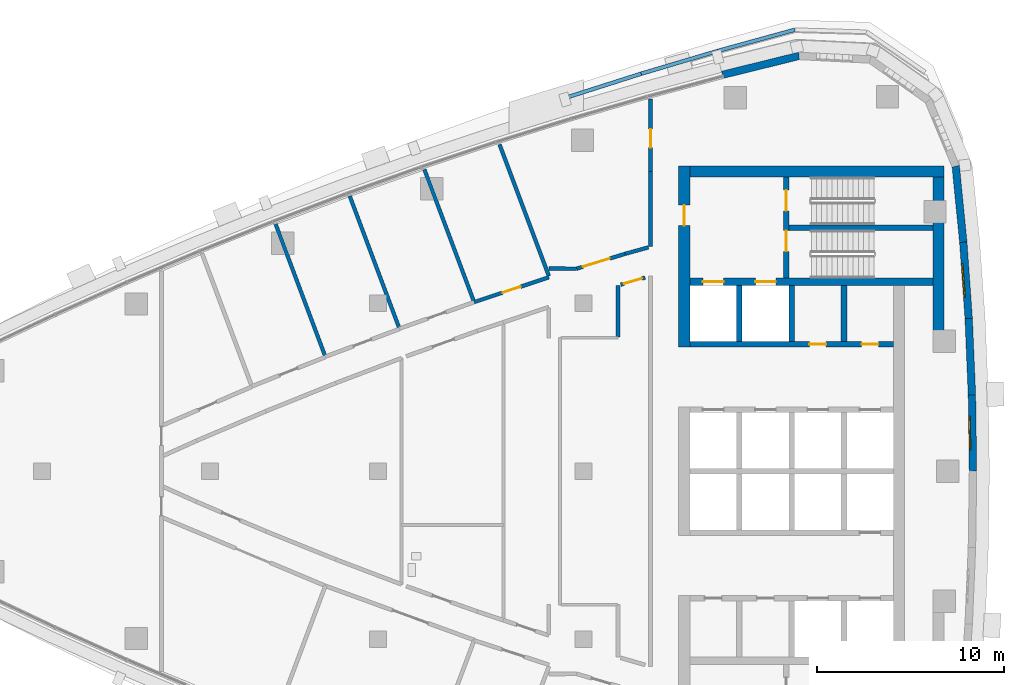
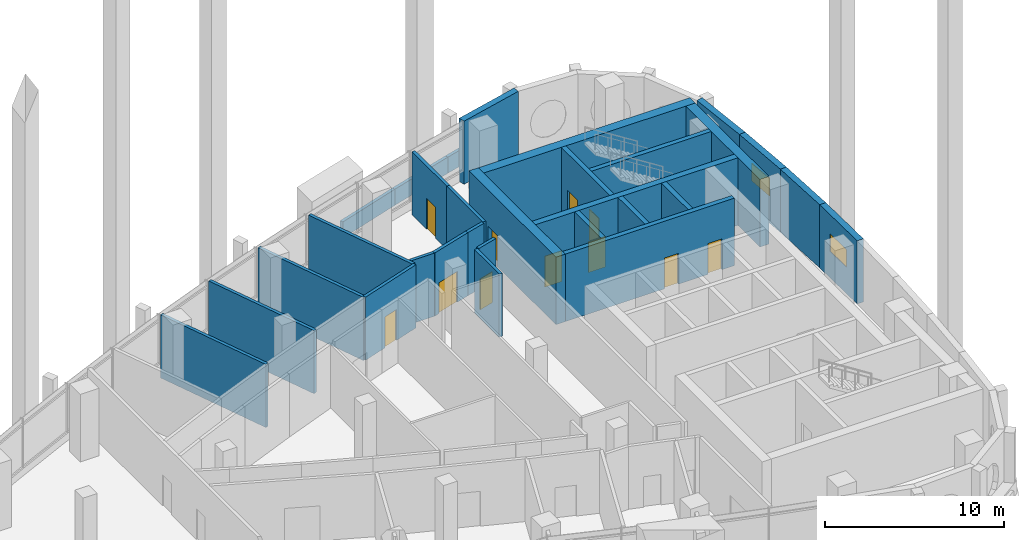
# One storey, part 9 of 15: 30 walls, 11 doors, 2 windows, 13 openings.
"""IFC4 building model written with IfcOpenShell, lengths in metres."""

from ifc_helpers import new_model, si_unit, direction, frame, frame_2d, origin, place, context, subcontext, project, spatial, polyline, rectangle, outline, extrude, material, layer, layer_set, type_object, element, fill, save


model = new_model("IFC4")

# Units and contexts
model_context = context("Model", 3, precision=1e-05, world=origin(), true_north=direction((0.0, 1.0)))
body_context = subcontext(model_context, "Body", "Model", "MODEL_VIEW")
ifc_project = project(units=[si_unit("LENGTHUNIT", "METRE"), si_unit("AREAUNIT", "SQUARE_METRE"), si_unit("VOLUMEUNIT", "CUBIC_METRE"), si_unit("PLANEANGLEUNIT", "RADIAN"), si_unit("MASSUNIT", "GRAM", prefix="KILO")], contexts=[model_context])

# Site, building, storey
site_placement = place(None, origin())
site = spatial("IfcSite", under=ifc_project, at=site_placement, CompositionType="ELEMENT")
building_placement = place(site_placement, origin())
building = spatial("IfcBuilding", under=site, at=building_placement, Name="Ostrand Prow Hotel Tower", CompositionType="ELEMENT")
storey_placement = place(building_placement, frame((0.0, 0.0, 216.199951171875)))
storey = spatial("IfcBuildingStorey", under=building, at=storey_placement, Name="L54", CompositionType="ELEMENT", Elevation=216.199951171875)

# Wall, openings, doors
ifc_material_1 = material(Name="Concrete C50/60", Category="concrete")
ifc_layer_1 = layer(ifc_material_1, 0.300048828125)
ifc_layer_set_1 = layer_set([ifc_layer_1], Name="Concrete C50/60")
wall_type_1 = type_object("IfcWallType", Name="Core wall 300 C50/60", PredefinedType="SHEAR", material=ifc_layer_set_1)
wall_1_placement = place(storey_placement, frame((50.699951171875, 6.800048828125, 0.0), z_axis=(0.0, 0.0, 1.0), x_axis=(1.0, 0.0, 0.0)))
wall_1 = element("IfcWall", 1, at=wall_1_placement, inside=storey, type_object=wall_type_1, Name="Core wall PW-L2-N", PredefinedType="SHEAR", context=body_context, shape_type="SweptSolid", body=[
    extrude(rectangle(XDim=10.900146484375, YDim=0.300048828125, at=frame_2d((5.4501953125, 0.0))), origin(), (0.0, 0.0, 1.0), 4.60009765625),
])
opening_1_placement = place(wall_1_placement, frame((6.39990234375, 0.0, 0.0)))
opening_1 = element("IfcOpeningElement", 2, at=opening_1_placement, cuts=wall_1, Name="Opening FD2", PredefinedType="OPENING", context=body_context, shape_type="SweptSolid", body=[
    extrude(rectangle(XDim=0.89990234375, YDim=2.10009765625, at=frame_2d((0.449951171875, 1.050048828125))), frame((0.0, 0.159912109375, 0.0), z_axis=(0.0, -1.0, 0.0), x_axis=(1.0, 0.0, 0.0)), (0.0, 0.0, 1.0), 0.320068359375),
])
opening_2_placement = place(wall_1_placement, frame((9.199951171875, 0.0, 0.0)))
opening_2 = element("IfcOpeningElement", 3, at=opening_2_placement, cuts=wall_1, Name="Opening FD2", PredefinedType="OPENING", context=body_context, shape_type="SweptSolid", body=[
    extrude(rectangle(XDim=0.89990234375, YDim=2.10009765625, at=frame_2d((0.449951171875, 1.050048828125))), frame((0.0, 0.159912109375, 0.0), z_axis=(0.0, -1.0, 0.0), x_axis=(1.0, 0.0, 0.0)), (0.0, 0.0, 1.0), 0.320068359375),
])
ifc_material_2 = material(Name="Steel fire door", Category="steel")
door_type_1 = type_object("IfcDoorType", Name="Fire door 900 EI120", OperationType="SINGLE_SWING_LEFT", PredefinedType="DOOR", material=ifc_material_2)
door_1_placement = place(opening_1_placement, origin())
door_1 = element("IfcDoor", 4, at=door_1_placement, inside=storey, type_object=door_type_1, Name="DOOR", OperationType="SINGLE_SWING_LEFT", OverallHeight=2.10009765625, OverallWidth=0.89990234375, PredefinedType="DOOR", context=body_context, shape_type="SweptSolid", body=[
    extrude(rectangle(XDim=0.89990234375, YDim=2.10009765625, at=frame_2d((0.449951171875, 1.050048828125))), frame((0.0, 0.02490234375, 0.0), z_axis=(0.0, -1.0, 0.0), x_axis=(1.0, 0.0, 0.0)), (0.0, 0.0, 1.0), 0.050048828125),
])
fill(opening_1, door_1)
door_2_placement = place(opening_2_placement, origin())
door_2 = element("IfcDoor", 5, at=door_2_placement, inside=storey, type_object=door_type_1, Name="DOOR", OperationType="SINGLE_SWING_LEFT", OverallHeight=2.10009765625, OverallWidth=0.89990234375, PredefinedType="DOOR", context=body_context, shape_type="SweptSolid", body=[
    extrude(rectangle(XDim=0.89990234375, YDim=2.10009765625, at=frame_2d((0.449951171875, 1.050048828125))), frame((0.0, 0.02490234375, 0.0), z_axis=(0.0, -1.0, 0.0), x_axis=(1.0, 0.0, 0.0)), (0.0, 0.0, 1.0), 0.050048828125),
])
fill(opening_2, door_2)

# Walls
for number, where, z_axis, x_axis, name in (
    (6, (53.35009765625, 6.949951171875, 0.0), (0.0, 0.0, 1.0), (0.0, 1.0, 0.0), "Core wall PW-R1-NA"),
    (7, (56.14990234375, 6.949951171875, 0.0), (0.0, 0.0, 1.0), (0.0, 1.0, 0.0), "Core wall PW-R2-NA"),
    (8, (58.949951171875, 6.949951171875, 0.0), (0.0, 0.0, 1.0), (0.0, 1.0, 0.0), "Core wall PW-R3-NA"),
):
    element("IfcWall", number, at=place(storey_placement, frame(where, z_axis=z_axis, x_axis=x_axis)), inside=storey, type_object=wall_type_1, Name=name, PredefinedType="SHEAR", context=body_context, shape_type="SweptSolid", body=[
        extrude(rectangle(XDim=3.0, YDim=0.300048828125, at=frame_2d((1.5, 0.0))), origin(), (0.0, 0.0, 1.0), 4.60009765625),
    ])

# Wall, openings, doors
wall_2_placement = place(storey_placement, frame((55.85009765625, 10.35009765625, 0.0), z_axis=(0.0, 0.0, 1.0), x_axis=(0.0, 1.0, 0.0)))
wall_2 = element("IfcWall", 9, at=wall_2_placement, inside=storey, type_object=wall_type_1, Name="Core wall PW-VN", PredefinedType="SHEAR", context=body_context, shape_type="SweptSolid", body=[
    extrude(rectangle(XDim=5.39990234375, YDim=0.300048828125, at=frame_2d((2.699951171875, 0.0))), origin(), (0.0, 0.0, 1.0), 4.60009765625),
])
opening_3_placement = place(wall_2_placement, frame((1.429931640625, 0.0, 0.0)))
opening_3 = element("IfcOpeningElement", 10, at=opening_3_placement, cuts=wall_2, Name="Opening FD1", PredefinedType="OPENING", context=body_context, shape_type="SweptSolid", body=[
    extrude(rectangle(XDim=1.10009765625, YDim=2.10009765625, at=frame_2d((0.550048828125, 1.050048828125))), frame((0.0, 0.159912109375, 0.0), z_axis=(0.0, -1.0, 0.0), x_axis=(1.0, 0.0, 0.0)), (0.0, 0.0, 1.0), 0.320068359375),
])
opening_4_placement = place(wall_2_placement, frame((3.60009765625, 0.0, 0.0)))
opening_4 = element("IfcOpeningElement", 11, at=opening_4_placement, cuts=wall_2, Name="Opening FD1", PredefinedType="OPENING", context=body_context, shape_type="SweptSolid", body=[
    extrude(rectangle(XDim=1.10009765625, YDim=2.10009765625, at=frame_2d((0.550048828125, 1.050048828125))), frame((0.0, 0.159912109375, 0.0), z_axis=(0.0, -1.0, 0.0), x_axis=(1.0, 0.0, 0.0)), (0.0, 0.0, 1.0), 0.320068359375),
])
ifc_material_3 = material(Name="Steel fire door", Category="steel")
door_type_2 = type_object("IfcDoorType", Name="Fire door 1100 EI120", OperationType="SINGLE_SWING_RIGHT", PredefinedType="DOOR", material=ifc_material_3)
door_3_placement = place(opening_3_placement, origin())
door_3 = element("IfcDoor", 12, at=door_3_placement, inside=storey, type_object=door_type_2, Name="FIRE DOOR", OperationType="SINGLE_SWING_RIGHT", OverallHeight=2.10009765625, OverallWidth=1.10009765625, PredefinedType="DOOR", context=body_context, shape_type="SweptSolid", body=[
    extrude(rectangle(XDim=1.10009765625, YDim=2.10009765625, at=frame_2d((0.550048828125, 1.050048828125))), frame((0.0, 0.02490234375, 0.0), z_axis=(0.0, -1.0, 0.0), x_axis=(1.0, 0.0, 0.0)), (0.0, 0.0, 1.0), 0.050048828125),
])
fill(opening_3, door_3)
door_4_placement = place(opening_4_placement, origin())
door_4 = element("IfcDoor", 13, at=door_4_placement, inside=storey, type_object=door_type_2, Name="FIRE DOOR", OperationType="SINGLE_SWING_RIGHT", OverallHeight=2.10009765625, OverallWidth=1.10009765625, PredefinedType="DOOR", context=body_context, shape_type="SweptSolid", body=[
    extrude(rectangle(XDim=1.10009765625, YDim=2.10009765625, at=frame_2d((0.550048828125, 1.050048828125))), frame((0.0, 0.02490234375, 0.0), z_axis=(0.0, -1.0, 0.0), x_axis=(1.0, 0.0, 0.0)), (0.0, 0.0, 1.0), 0.050048828125),
])
fill(opening_4, door_4)

# Wall
wall_3_placement = place(storey_placement, frame((56.0, 13.050048828125, 0.0), z_axis=(0.0, 0.0, 1.0), x_axis=(1.0, 0.0, 0.0)))
element("IfcWall", 14, at=wall_3_placement, inside=storey, type_object=wall_type_1, Name="Core wall PW-ST13", PredefinedType="SHEAR", context=body_context, shape_type="SweptSolid", body=[
    extrude(rectangle(XDim=7.719970703125, YDim=0.300048828125, at=frame_2d((3.85986328125, 0.0))), origin(), (0.0, 0.0, 1.0), 4.60009765625),
])

# Wall, openings, doors
ifc_material_4 = material(Name="Concrete C50/60", Category="concrete")
ifc_layer_2 = layer(ifc_material_4, 0.39990234375)
ifc_layer_set_2 = layer_set([ifc_layer_2], Name="Concrete C50/60")
wall_type_2 = type_object("IfcWallType", Name="Core wall 400 C50/60", PredefinedType="SHEAR", material=ifc_layer_set_2)
wall_4_placement = place(storey_placement, frame((50.699951171875, 10.14990234375, 0.0), z_axis=(0.0, 0.0, 1.0), x_axis=(1.0, 0.0, 0.0)))
wall_4 = element("IfcWall", 15, at=wall_4_placement, inside=storey, type_object=wall_type_2, Name="Core wall PW-BN", PredefinedType="SHEAR", context=body_context, shape_type="SweptSolid", body=[
    extrude(rectangle(XDim=13.02001953125, YDim=0.39990234375, at=frame_2d((6.510009765625, 0.0))), origin(), (0.0, 0.0, 1.0), 4.60009765625),
])
opening_5_placement = place(wall_4_placement, frame((0.699951171875, 0.0, 0.0)))
opening_5 = element("IfcOpeningElement", 16, at=opening_5_placement, cuts=wall_4, Name="Opening LD", PredefinedType="OPENING", context=body_context, shape_type="SweptSolid", body=[
    extrude(rectangle(XDim=1.10009765625, YDim=2.10009765625, at=frame_2d((0.550048828125, 1.050048828125))), frame((0.0, 0.2099609375, 0.0), z_axis=(0.0, -1.0, 0.0), x_axis=(1.0, 0.0, 0.0)), (0.0, 0.0, 1.0), 0.419921875),
])
opening_6_placement = place(wall_4_placement, frame((3.5, 0.0, 0.0)))
opening_6 = element("IfcOpeningElement", 17, at=opening_6_placement, cuts=wall_4, Name="Opening LD", PredefinedType="OPENING", context=body_context, shape_type="SweptSolid", body=[
    extrude(rectangle(XDim=1.10009765625, YDim=2.10009765625, at=frame_2d((0.550048828125, 1.050048828125))), frame((0.0, 0.2099609375, 0.0), z_axis=(0.0, -1.0, 0.0), x_axis=(1.0, 0.0, 0.0)), (0.0, 0.0, 1.0), 0.419921875),
])
ifc_material_5 = material(Name="Stainless steel door", Category="steel")
door_type_3 = type_object("IfcDoorType", Name="Lift landing door 1100", OperationType="DOUBLE_DOOR_SLIDING", PredefinedType="DOOR", material=ifc_material_5)
door_5_placement = place(opening_5_placement, origin())
door_5 = element("IfcDoor", 18, at=door_5_placement, inside=storey, type_object=door_type_3, Name="LIFT LANDING DOOR", OperationType="DOUBLE_DOOR_SLIDING", OverallHeight=2.10009765625, OverallWidth=1.10009765625, PredefinedType="DOOR", context=body_context, shape_type="SweptSolid", body=[
    extrude(rectangle(XDim=1.10009765625, YDim=2.10009765625, at=frame_2d((0.550048828125, 1.050048828125))), frame((0.0, 0.02490234375, 0.0), z_axis=(0.0, -1.0, 0.0), x_axis=(1.0, 0.0, 0.0)), (0.0, 0.0, 1.0), 0.050048828125),
])
fill(opening_5, door_5)
door_6_placement = place(opening_6_placement, origin())
door_6 = element("IfcDoor", 19, at=door_6_placement, inside=storey, type_object=door_type_3, Name="LIFT LANDING DOOR", OperationType="DOUBLE_DOOR_SLIDING", OverallHeight=2.10009765625, OverallWidth=1.10009765625, PredefinedType="DOOR", context=body_context, shape_type="SweptSolid", body=[
    extrude(rectangle(XDim=1.10009765625, YDim=2.10009765625, at=frame_2d((0.550048828125, 1.050048828125))), frame((0.0, 0.02490234375, 0.0), z_axis=(0.0, -1.0, 0.0), x_axis=(1.0, 0.0, 0.0)), (0.0, 0.0, 1.0), 0.050048828125),
])
fill(opening_6, door_6)

# Wall, opening, door
ifc_material_6 = material(Name="Concrete C50/60", Category="concrete")
ifc_layer_3 = layer(ifc_material_6, 0.60009765625)
ifc_layer_set_3 = layer_set([ifc_layer_3], Name="Concrete C50/60")
wall_type_3 = type_object("IfcWallType", Name="Core wall 600 C50/60", PredefinedType="SHEAR", material=ifc_layer_set_3)
wall_5_placement = place(storey_placement, frame((50.39990234375, 6.64990234375, 0.0), z_axis=(0.0, 0.0, 1.0), x_axis=(0.0, 1.0, 0.0)))
wall_5 = element("IfcWall", 20, at=wall_5_placement, inside=storey, type_object=wall_type_3, Name="Core wall CW-W-N", PredefinedType="SHEAR", context=body_context, shape_type="SweptSolid", body=[
    extrude(rectangle(XDim=9.7001953125, YDim=0.60009765625, at=frame_2d((4.85009765625, 0.0))), origin(), (0.0, 0.0, 1.0), 4.60009765625),
])
opening_7_placement = place(wall_5_placement, frame((6.5, 0.0, 0.0)))
opening_7 = element("IfcOpeningElement", 21, at=opening_7_placement, cuts=wall_5, Name="Opening FD1", PredefinedType="OPENING", context=body_context, shape_type="SweptSolid", body=[
    extrude(rectangle(XDim=1.10009765625, YDim=2.10009765625, at=frame_2d((0.550048828125, 1.050048828125))), frame((0.0, 0.31005859375, 0.0), z_axis=(0.0, -1.0, 0.0), x_axis=(1.0, 0.0, 0.0)), (0.0, 0.0, 1.0), 0.6201171875),
])
door_7_placement = place(opening_7_placement, origin())
door_7 = element("IfcDoor", 22, at=door_7_placement, inside=storey, type_object=door_type_2, Name="FIRE DOOR", OperationType="SINGLE_SWING_RIGHT", OverallHeight=2.10009765625, OverallWidth=1.10009765625, PredefinedType="DOOR", context=body_context, shape_type="SweptSolid", body=[
    extrude(rectangle(XDim=1.10009765625, YDim=2.10009765625, at=frame_2d((0.550048828125, 1.050048828125))), frame((0.0, 0.02490234375, 0.0), z_axis=(0.0, -1.0, 0.0), x_axis=(1.0, 0.0, 0.0)), (0.0, 0.0, 1.0), 0.050048828125),
])
fill(opening_7, door_7)

# Walls
wall_6_placement = place(storey_placement, frame((50.699951171875, 16.050048828125, 0.0), z_axis=(0.0, 0.0, 1.0), x_axis=(1.0, 0.0, 0.0)))
element("IfcWall", 23, at=wall_6_placement, inside=storey, type_object=wall_type_3, Name="Core wall CW-N", PredefinedType="SHEAR", context=body_context, shape_type="SweptSolid", body=[
    extrude(rectangle(XDim=13.6201171875, YDim=0.60009765625, at=frame_2d((6.81005859375, 0.0))), origin(), (0.0, 0.0, 1.0), 4.60009765625),
])
wall_7_placement = place(storey_placement, frame((64.02001953125, 7.502197265625, 0.0), z_axis=(0.0, 0.0, 1.0), x_axis=(0.0, 1.0, 0.0)))
element("IfcWall", 24, at=wall_7_placement, inside=storey, type_object=wall_type_3, Name="Core wall CW-E-N", PredefinedType="SHEAR", context=body_context, shape_type="SweptSolid", body=[
    extrude(rectangle(XDim=8.247802734375, YDim=0.60009765625, at=frame_2d((4.1240234375, 0.0))), origin(), (0.0, 0.0, 1.0), 4.60009765625),
])

# Wall, opening, door
ifc_material_7 = material(Name="Plasterboard partition")
ifc_layer_4 = layer(ifc_material_7, 0.199951171875)
ifc_layer_set_4 = layer_set([ifc_layer_4], Name="Plasterboard partition")
wall_type_4 = type_object("IfcWallType", Name="Partition 200 corridor wall", PredefinedType="PARTITIONING", material=ifc_layer_set_4)
wall_8_placement = place(storey_placement, frame((43.14990234375, 10.385986328125, 0.0), z_axis=(0.0, 0.0, 1.0), x_axis=(-0.949231523576, -0.314578312427, 0.0)))
wall_8 = element("IfcWall", 25, at=wall_8_placement, inside=storey, type_object=wall_type_4, Name="CORRIDOR WALL", PredefinedType="PARTITIONING", context=body_context, shape_type="SweptSolid", body=[
    extrude(rectangle(XDim=4.219482421875, YDim=0.199951171875, at=frame_2d((2.10986328125, 0.0))), origin(), (0.0, 0.0, 1.0), 4.300048828125),
])
opening_8_placement = place(wall_8_placement, frame((1.60986328125, 0.0, 0.0)))
opening_8 = element("IfcOpeningElement", 26, at=opening_8_placement, cuts=wall_8, Name="Opening D1", PredefinedType="OPENING", context=body_context, shape_type="SweptSolid", body=[
    extrude(rectangle(XDim=1.0, YDim=2.10009765625, at=frame_2d((0.5, 1.050048828125))), frame((0.0, 0.10986328125, 0.0), z_axis=(0.0, -1.0, 0.0), x_axis=(1.0, 0.0, 0.0)), (0.0, 0.0, 1.0), 0.219970703125),
])
ifc_material_8 = material(Name="Timber door leaf", Category="wood")
door_type_4 = type_object("IfcDoorType", Name="Guest room door 1000", OperationType="SINGLE_SWING_LEFT", PredefinedType="DOOR", material=ifc_material_8)
door_8_placement = place(opening_8_placement, origin())
door_8 = element("IfcDoor", 27, at=door_8_placement, inside=storey, type_object=door_type_4, Name="DOOR", OperationType="SINGLE_SWING_LEFT", OverallHeight=2.10009765625, OverallWidth=1.0, PredefinedType="DOOR", context=body_context, shape_type="SweptSolid", body=[
    extrude(rectangle(XDim=1.0, YDim=2.10009765625, at=frame_2d((0.5, 1.050048828125))), frame((0.0, 0.02490234375, 0.0), z_axis=(0.0, -1.0, 0.0), x_axis=(1.0, 0.0, 0.0)), (0.0, 0.0, 1.0), 0.050048828125),
])
fill(opening_8, door_8)

wall_9_placement = place(storey_placement, frame((47.229736328125, 11.643310546875, 0.0), z_axis=(0.0, 0.0, 1.0), x_axis=(-0.956220019134, -0.292648722887, 0.0)))
wall_9 = element("IfcWall", 28, at=wall_9_placement, inside=storey, type_object=wall_type_4, Name="CORRIDOR WALL", PredefinedType="PARTITIONING", context=body_context, shape_type="SweptSolid", body=[
    extrude(rectangle(XDim=2.71044921875, YDim=0.199951171875, at=frame_2d((1.355224609375, 0.0))), origin(), (0.0, 0.0, 1.0), 4.300048828125),
])
opening_9_placement = place(wall_9_placement, frame((0.855224609375, 0.0, 0.0)))
opening_9 = element("IfcOpeningElement", 29, at=opening_9_placement, cuts=wall_9, Name="Opening D15", PredefinedType="OPENING", context=body_context, shape_type="SweptSolid", body=[
    extrude(rectangle(XDim=1.5, YDim=2.10009765625, at=frame_2d((0.75, 1.050048828125))), frame((0.0, 0.10986328125, 0.0), z_axis=(0.0, -1.0, 0.0), x_axis=(1.0, 0.0, 0.0)), (0.0, 0.0, 1.0), 0.219970703125),
])
ifc_material_9 = material(Name="Timber door leaf", Category="wood")
door_type_5 = type_object("IfcDoorType", Name="Double door 1500", OperationType="DOUBLE_DOOR_SINGLE_SWING", PredefinedType="DOOR", material=ifc_material_9)
door_9_placement = place(opening_9_placement, origin())
door_9 = element("IfcDoor", 30, at=door_9_placement, inside=storey, type_object=door_type_5, Name="DOOR", OperationType="DOUBLE_DOOR_SINGLE_SWING", OverallHeight=2.10009765625, OverallWidth=1.5, PredefinedType="DOOR", context=body_context, shape_type="SweptSolid", body=[
    extrude(rectangle(XDim=1.5, YDim=2.10009765625, at=frame_2d((0.75, 1.050048828125))), frame((0.0, 0.02490234375, 0.0), z_axis=(0.0, -1.0, 0.0), x_axis=(1.0, 0.0, 0.0)), (0.0, 0.0, 1.0), 0.050048828125),
])
fill(opening_9, door_9)

wall_10_placement = place(storey_placement, frame((46.997314453125, 9.993408203125, 0.0), z_axis=(0.0, 0.0, 1.0), x_axis=(0.960450321583, 0.278451395706, 0.0)))
wall_10 = element("IfcWall", 31, at=wall_10_placement, inside=storey, type_object=wall_type_4, Name="CORRIDOR WALL", PredefinedType="PARTITIONING", context=body_context, shape_type="SweptSolid", body=[
    extrude(rectangle(XDim=1.3564453125, YDim=0.199951171875, at=frame_2d((0.67822265625, 0.0))), origin(), (0.0, 0.0, 1.0), 4.300048828125),
])
opening_10_placement = place(wall_10_placement, frame((0.177978515625, 0.0, 0.0)))
opening_10 = element("IfcOpeningElement", 32, at=opening_10_placement, cuts=wall_10, Name="Opening D1R", PredefinedType="OPENING", context=body_context, shape_type="SweptSolid", body=[
    extrude(rectangle(XDim=1.0, YDim=2.10009765625, at=frame_2d((0.5, 1.050048828125))), frame((0.0, 0.10986328125, 0.0), z_axis=(0.0, -1.0, 0.0), x_axis=(1.0, 0.0, 0.0)), (0.0, 0.0, 1.0), 0.219970703125),
])
ifc_material_10 = material(Name="Timber door leaf", Category="wood")
door_type_6 = type_object("IfcDoorType", Name="Guest room door 1000 right", OperationType="SINGLE_SWING_RIGHT", PredefinedType="DOOR", material=ifc_material_10)
door_10_placement = place(opening_10_placement, origin())
door_10 = element("IfcDoor", 33, at=door_10_placement, inside=storey, type_object=door_type_6, Name="DOOR", OperationType="SINGLE_SWING_RIGHT", OverallHeight=2.10009765625, OverallWidth=1.0, PredefinedType="DOOR", context=body_context, shape_type="SweptSolid", body=[
    extrude(rectangle(XDim=1.0, YDim=2.10009765625, at=frame_2d((0.5, 1.050048828125))), frame((0.0, 0.02490234375, 0.0), z_axis=(0.0, -1.0, 0.0), x_axis=(1.0, 0.0, 0.0)), (0.0, 0.0, 1.0), 0.050048828125),
])
fill(opening_10, door_10)

wall_11_placement = place(storey_placement, frame((48.594970703125, 19.9267578125, 0.0), z_axis=(0.0, 0.0, 1.0), x_axis=(0.0, -1.0, 0.0)))
wall_11 = element("IfcWall", 34, at=wall_11_placement, inside=storey, type_object=wall_type_4, Name="CORRIDOR WALL", PredefinedType="PARTITIONING", context=body_context, shape_type="SweptSolid", body=[
    extrude(rectangle(XDim=3.876953125, YDim=0.199951171875, at=frame_2d((1.9384765625, 0.0))), origin(), (0.0, 0.0, 1.0), 4.300048828125),
])
opening_11_placement = place(wall_11_placement, frame((1.60107421875, 0.0, 0.0)))
opening_11 = element("IfcOpeningElement", 35, at=opening_11_placement, cuts=wall_11, Name="Opening D1", PredefinedType="OPENING", context=body_context, shape_type="SweptSolid", body=[
    extrude(rectangle(XDim=1.0, YDim=2.10009765625, at=frame_2d((0.5, 1.050048828125))), frame((0.0, 0.10986328125, 0.0), z_axis=(0.0, -1.0, 0.0), x_axis=(1.0, 0.0, 0.0)), (0.0, 0.0, 1.0), 0.219970703125),
])
door_11_placement = place(opening_11_placement, origin())
door_11 = element("IfcDoor", 36, at=door_11_placement, inside=storey, type_object=door_type_4, Name="DOOR", OperationType="SINGLE_SWING_LEFT", OverallHeight=2.10009765625, OverallWidth=1.0, PredefinedType="DOOR", context=body_context, shape_type="SweptSolid", body=[
    extrude(rectangle(XDim=1.0, YDim=2.10009765625, at=frame_2d((0.5, 1.050048828125))), frame((0.0, 0.02490234375, 0.0), z_axis=(0.0, -1.0, 0.0), x_axis=(1.0, 0.0, 0.0)), (0.0, 0.0, 1.0), 0.050048828125),
])
fill(opening_11, door_11)

# Walls
wall_12_placement = place(storey_placement, frame((46.852783203125, 7.185791015625, 0.0), z_axis=(0.0, 0.0, 1.0), x_axis=(0.00079667143, 0.999999682657, 0.0)))
element("IfcWall", 37, at=wall_12_placement, inside=storey, type_object=wall_type_4, Name="CORRIDOR WALL", PredefinedType="PARTITIONING", context=body_context, shape_type="SweptSolid", body=[
    extrude(rectangle(XDim=2.758056640625, YDim=0.199951171875, at=frame_2d((1.37890625, 0.0))), origin(), (0.0, 0.0, 1.0), 4.300048828125),
])
wall_13_placement = place(storey_placement, frame((44.637939453125, 10.85009765625, 0.0), z_axis=(0.0, 0.0, 1.0), x_axis=(-0.999995150779, 0.003114228465, 0.0)))
element("IfcWall", 38, at=wall_13_placement, inside=storey, type_object=wall_type_4, Name="CORRIDOR WALL", PredefinedType="PARTITIONING", context=body_context, shape_type="SweptSolid", body=[
    extrude(rectangle(XDim=1.489501953125, YDim=0.199951171875, at=frame_2d((0.74462890625, 0.0))), origin(), (0.0, 0.0, 1.0), 4.300048828125),
])
wall_14_placement = place(storey_placement, frame((48.594970703125, 16.0498046875, 0.0), z_axis=(0.0, 0.0, 1.0), x_axis=(0.0, -1.0, 0.0)))
element("IfcWall", 39, at=wall_14_placement, inside=storey, type_object=wall_type_4, Name="CORRIDOR WALL", PredefinedType="PARTITIONING", context=body_context, shape_type="SweptSolid", body=[
    extrude(rectangle(XDim=4.0263671875, YDim=0.199951171875, at=frame_2d((2.01318359375, 0.0))), origin(), (0.0, 0.0, 1.0), 4.300048828125),
])
wall_15_placement = place(storey_placement, frame((48.47998046875, 11.98974609375, 0.0), z_axis=(0.0, 0.0, 1.0), x_axis=(-0.963687566022, -0.267032348406, 0.0)))
element("IfcWall", 40, at=wall_15_placement, inside=storey, type_object=wall_type_4, Name="CORRIDOR WALL", PredefinedType="PARTITIONING", context=body_context, shape_type="SweptSolid", body=[
    extrude(rectangle(XDim=1.29736328125, YDim=0.199951171875, at=frame_2d((0.648681640625, 0.0))), origin(), (0.0, 0.0, 1.0), 4.300048828125),
])
ifc_material_11 = material(Name="Plasterboard partition")
ifc_layer_5 = layer(ifc_material_11, 0.199951171875)
ifc_layer_set_5 = layer_set([ifc_layer_5], Name="Plasterboard partition")
wall_type_5 = type_object("IfcWallType", Name="Partition 200 key partition", PredefinedType="PARTITIONING", material=ifc_layer_set_5)
wall_16_placement = place(storey_placement, frame((31.182861328125, 6.118408203125, 0.0), z_axis=(0.0, 0.0, 1.0), x_axis=(-0.351137522904, 0.936323896955, 0.0)))
element("IfcWall", 41, at=wall_16_placement, inside=storey, type_object=wall_type_5, Name="KEY PARTITION", PredefinedType="PARTITIONING", context=body_context, shape_type="SweptSolid", body=[
    extrude(rectangle(XDim=7.60009765625, YDim=0.199951171875, at=frame_2d((3.800048828125, 0.0))), origin(), (0.0, 0.0, 1.0), 4.300048828125),
])
wall_17_placement = place(storey_placement, frame((35.151611328125, 7.620849609375, 0.0), z_axis=(0.0, 0.0, 1.0), x_axis=(-0.351134001511, 0.93632521753, 0.0)))
element("IfcWall", 42, at=wall_17_placement, inside=storey, type_object=wall_type_5, Name="KEY PARTITION", PredefinedType="PARTITIONING", context=body_context, shape_type="SweptSolid", body=[
    extrude(rectangle(XDim=7.600830078125, YDim=0.199951171875, at=frame_2d((3.80029296875, 0.0))), origin(), (0.0, 0.0, 1.0), 4.300048828125),
])
wall_18_placement = place(storey_placement, frame((39.151611328125, 9.039794921875, 0.0), z_axis=(0.0, 0.0, 1.0), x_axis=(-0.351133995718, 0.936325219703, 0.0)))
element("IfcWall", 43, at=wall_18_placement, inside=storey, type_object=wall_type_5, Name="KEY PARTITION", PredefinedType="PARTITIONING", context=body_context, shape_type="SweptSolid", body=[
    extrude(rectangle(XDim=7.605224609375, YDim=0.199951171875, at=frame_2d((3.802734375, 0.0))), origin(), (0.0, 0.0, 1.0), 4.300048828125),
])
wall_19_placement = place(storey_placement, frame((43.14990234375, 10.449951171875, 0.0), z_axis=(0.0, 0.0, 1.0), x_axis=(-0.351119888923, 0.936330509811, 0.0)))
element("IfcWall", 44, at=wall_19_placement, inside=storey, type_object=wall_type_5, Name="KEY PARTITION", PredefinedType="PARTITIONING", context=body_context, shape_type="SweptSolid", body=[
    extrude(rectangle(XDim=7.531005859375, YDim=0.199951171875, at=frame_2d((3.765625, 0.0))), origin(), (0.0, 0.0, 1.0), 4.300048828125),
])
ifc_material_12 = material(Name="Precast concrete C40/50", Category="concrete")
ifc_layer_6 = layer(ifc_material_12, 0.199951171875)
ifc_layer_set_6 = layer_set([ifc_layer_6], Name="Precast concrete C40/50")
wall_type_6 = type_object("IfcWallType", Name="Roof parapet 200 mm precast concrete", PredefinedType="PARAPET", material=ifc_layer_set_6)
wall_20_placement = place(storey_placement, frame((56.3251953125, 23.64453125, 0.0), z_axis=(0.0, 0.0, 1.0), x_axis=(-0.964196245913, -0.265189742197, 0.0)))
element("IfcWall", 45, at=wall_20_placement, inside=storey, type_object=wall_type_6, Name="Roof parapet LPR0 2.18", PredefinedType="PARAPET", context=body_context, shape_type="SweptSolid", body=[
    extrude(rectangle(XDim=4.265380859375, YDim=0.199951171875, at=frame_2d((2.1328125, 0.0))), origin(), (0.0, 0.0, 1.0), 1.10009765625),
])
wall_21_placement = place(storey_placement, frame((52.212646484375, 22.513427734375, 0.0), z_axis=(0.0, 0.0, 1.0), x_axis=(-0.958673228505, -0.284509474266, 0.0)))
element("IfcWall", 46, at=wall_21_placement, inside=storey, type_object=wall_type_6, Name="Roof parapet LPR0 2.19", PredefinedType="PARAPET", context=body_context, shape_type="SweptSolid", body=[
    extrude(rectangle(XDim=4.302490234375, YDim=0.199951171875, at=frame_2d((2.1513671875, 0.0))), origin(), (0.0, 0.0, 1.0), 1.10009765625),
])
wall_22_placement = place(storey_placement, frame((48.087890625, 21.289306640625, 0.0), z_axis=(0.0, 0.0, 1.0), x_axis=(-0.952727369543, -0.303826528341, 0.0)))
element("IfcWall", 47, at=wall_22_placement, inside=storey, type_object=wall_type_6, Name="Roof parapet LPR0 2.20", PredefinedType="PARAPET", context=body_context, shape_type="SweptSolid", body=[
    extrude(rectangle(XDim=4.302978515625, YDim=0.199951171875, at=frame_2d((2.1513671875, 0.0))), origin(), (0.0, 0.0, 1.0), 1.10009765625),
])

# Wall, opening, window
ifc_material_13 = material(Name="Precast concrete C40/50", Category="concrete")
ifc_layer_7 = layer(ifc_material_13, 0.39990234375)
ifc_layer_set_7 = layer_set([ifc_layer_7], Name="Precast concrete C40/50")
wall_type_7 = type_object("IfcWallType", Name="Stone-faced precast wall 400 mm", PredefinedType="NOTDEFINED", material=ifc_layer_set_7)
wall_23_placement = place(storey_placement, frame((65.86181640625, 0.0, 0.0), z_axis=(0.0, 0.0, 1.0), x_axis=(-0.014136867892, 0.99990006949, 0.0)))
wall_23 = element("IfcWall", 48, at=wall_23_placement, inside=storey, type_object=wall_type_7, Name="Stone-faced wall back 9", PredefinedType="NOTDEFINED", context=body_context, shape_type="SweptSolid", body=[
    extrude(outline(polyline([(-0.002685546875, -0.199951171875), (4.095703125, -0.199951171875), (4.09033203125, 0.199951171875), (0.002685546875, 0.199951171875), (-0.002685546875, -0.199951171875)])), origin(), (0.0, 0.0, 1.0), 4.300048828125),
])
opening_12_placement = place(wall_23_placement, frame((1.146484375, 0.0, 1.800048828125)))
opening_12 = element("IfcOpeningElement", 49, at=opening_12_placement, cuts=wall_23, Name="Opening WC1", PredefinedType="OPENING", context=body_context, shape_type="SweptSolid", body=[
    extrude(rectangle(XDim=1.800048828125, YDim=1.199951171875, at=frame_2d((0.89990234375, 0.60009765625))), frame((0.0, 0.2099609375, 0.0), z_axis=(0.0, -1.0, 0.0), x_axis=(1.0, 0.0, 0.0)), (0.0, 0.0, 1.0), 0.419921875),
])
ifc_material_14 = material(Name="Insulated glass in bronze frame", Category="glass")
window_type = type_object("IfcWindowType", Name="Sky lobby clerestory window 1800x1200", PartitioningType="SINGLE_PANEL", PredefinedType="WINDOW", material=ifc_material_14)
window_1_placement = place(opening_12_placement, origin())
window_1 = element("IfcWindow", 50, at=window_1_placement, inside=storey, type_object=window_type, Name="Window back 9.1", OverallHeight=1.199951171875, OverallWidth=1.800048828125, PartitioningType="SINGLE_PANEL", PredefinedType="WINDOW", context=body_context, shape_type="SweptSolid", body=[
    extrude(rectangle(XDim=1.800048828125, YDim=1.199951171875, at=frame_2d((0.89990234375, 0.60009765625))), frame((0.0, 0.169921875, 0.0), z_axis=(0.0, -1.0, 0.0), x_axis=(1.0, 0.0, 0.0)), (0.0, 0.0, 1.0), 0.06005859375),
])
fill(opening_12, window_1)

# Wall
wall_24_placement = place(storey_placement, frame((65.803955078125, 4.092529296875, 0.0), z_axis=(0.0, 0.0, 1.0), x_axis=(-0.042352554594, 0.999102728011, 0.0)))
element("IfcWall", 51, at=wall_24_placement, inside=storey, type_object=wall_type_7, Name="Stone-faced wall back 10", PredefinedType="NOTDEFINED", context=body_context, shape_type="SweptSolid", body=[
    extrude(outline(polyline([(-0.002685546875, -0.199951171875), (4.095458984375, -0.199951171875), (4.090087890625, 0.199951171875), (0.002685546875, 0.199951171875), (-0.002685546875, -0.199951171875)])), origin(), (0.0, 0.0, 1.0), 4.300048828125),
])

# Wall, opening, window
wall_25_placement = place(storey_placement, frame((65.630615234375, 8.181640625, 0.0), z_axis=(0.0, 0.0, 1.0), x_axis=(-0.070623905352, 0.997503014528, 0.0)))
wall_25 = element("IfcWall", 52, at=wall_25_placement, inside=storey, type_object=wall_type_7, Name="Stone-faced wall back 11", PredefinedType="NOTDEFINED", context=body_context, shape_type="SweptSolid", body=[
    extrude(outline(polyline([(-0.002685546875, -0.199951171875), (4.095703125, -0.199951171875), (4.09033203125, 0.199951171875), (0.002685546875, 0.199951171875), (-0.002685546875, -0.199951171875)])), origin(), (0.0, 0.0, 1.0), 4.300048828125),
])
opening_13_placement = place(wall_25_placement, frame((1.146484375, 0.0, 1.800048828125)))
opening_13 = element("IfcOpeningElement", 53, at=opening_13_placement, cuts=wall_25, Name="Opening WC1", PredefinedType="OPENING", context=body_context, shape_type="SweptSolid", body=[
    extrude(rectangle(XDim=1.800048828125, YDim=1.199951171875, at=frame_2d((0.89990234375, 0.60009765625))), frame((0.0, 0.2099609375, 0.0), z_axis=(0.0, -1.0, 0.0), x_axis=(1.0, 0.0, 0.0)), (0.0, 0.0, 1.0), 0.419921875),
])
window_2_placement = place(opening_13_placement, origin())
window_2 = element("IfcWindow", 54, at=window_2_placement, inside=storey, type_object=window_type, Name="Window back 11.1", OverallHeight=1.199951171875, OverallWidth=1.800048828125, PartitioningType="SINGLE_PANEL", PredefinedType="WINDOW", context=body_context, shape_type="SweptSolid", body=[
    extrude(rectangle(XDim=1.800048828125, YDim=1.199951171875, at=frame_2d((0.89990234375, 0.60009765625))), frame((0.0, 0.169921875, 0.0), z_axis=(0.0, -1.0, 0.0), x_axis=(1.0, 0.0, 0.0)), (0.0, 0.0, 1.0), 0.06005859375),
])
fill(opening_13, window_2)

# Walls
wall_26_placement = place(storey_placement, frame((65.341552734375, 12.264404296875, 0.0), z_axis=(0.0, 0.0, 1.0), x_axis=(-0.098718218066, 0.995115427185, 0.0)))
element("IfcWall", 55, at=wall_26_placement, inside=storey, type_object=wall_type_7, Name="Stone-faced wall back 12", PredefinedType="NOTDEFINED", context=body_context, shape_type="SweptSolid", body=[
    extrude(outline(polyline([(-0.002685546875, -0.199951171875), (4.122802734375, -0.199951171875), (4.063232421875, 0.199951171875), (0.002685546875, 0.199951171875), (-0.002685546875, -0.199951171875)])), origin(), (0.0, 0.0, 1.0), 4.300048828125),
])
wall_27_placement = place(storey_placement, frame((56.54345703125, 22.24169921875, 0.0), z_axis=(0.0, 0.0, 1.0), x_axis=(-0.970902342456, -0.23947576373, 0.0)))
element("IfcWall", 56, at=wall_27_placement, inside=storey, type_object=wall_type_7, Name="Stone-faced wall back 16", PredefinedType="NOTDEFINED", context=body_context, shape_type="SweptSolid", body=[
    extrude(outline(polyline([(-0.029296875, -0.199951171875), (4.225830078125, -0.199951171875), (4.225830078125, 0.199951171875), (0.029296875, 0.199951171875), (-0.029296875, -0.199951171875)])), origin(), (0.0, 0.0, 1.0), 4.300048828125),
])

save(model, "model.ifc")
